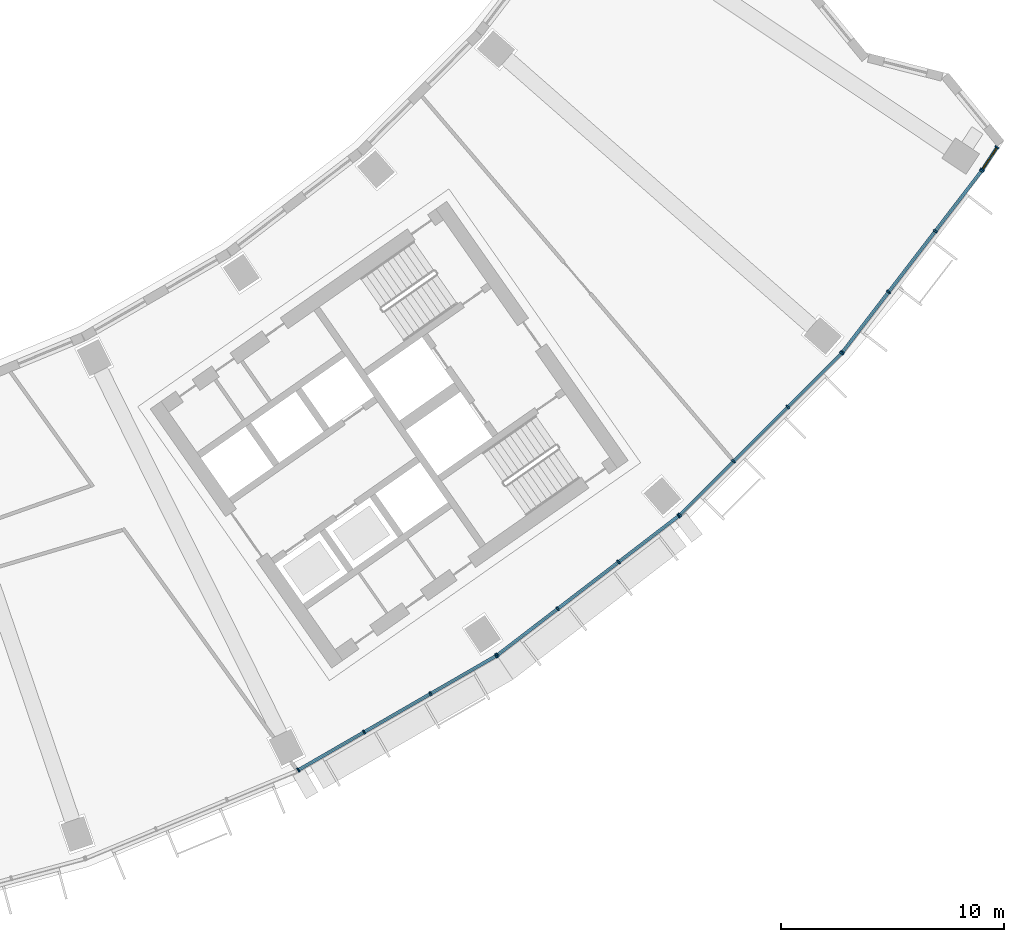
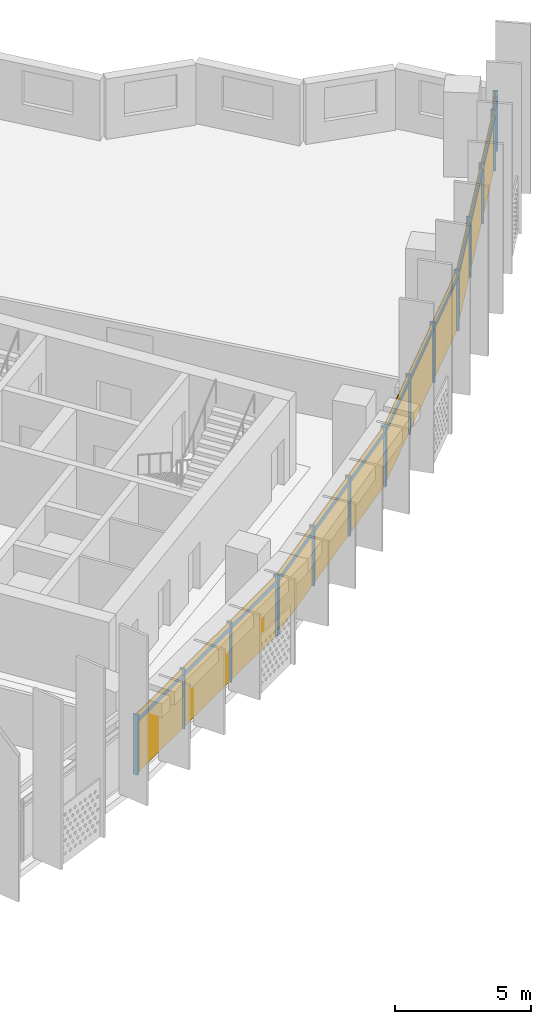
# One storey, part 20 of 31: 31 members, 5 curtain walls.
"""IFC4 building model written with IfcOpenShell, lengths in metres."""

from ifc_helpers import new_model, si_unit, direction, frame, origin, origin_2d, place, context, subcontext, project, spatial, rectangle, extrude, material, material_profile, profile_set, type_object, element, aggregate, save


model = new_model("IFC4")

# Units and contexts
model_context = context("Model", 3, precision=1e-05, world=origin(), true_north=direction((0.0, 1.0)))
body_context = subcontext(model_context, "Body", "Model", "MODEL_VIEW")
ifc_project = project(units=[si_unit("LENGTHUNIT", "METRE"), si_unit("AREAUNIT", "SQUARE_METRE"), si_unit("VOLUMEUNIT", "CUBIC_METRE"), si_unit("PLANEANGLEUNIT", "RADIAN"), si_unit("MASSUNIT", "GRAM", prefix="KILO")], contexts=[model_context])

# Member
ifc_material = material(Name="Aluminium 6063-T6 anodised", Category="aluminium")
ifc_material_profile_1 = material_profile(ifc_material, rectangle(XDim=0.199951171875, YDim=0.070068359375, at=origin_2d()))
ifc_profile_set_1 = profile_set([ifc_material_profile_1], Name="Aluminium 6063-T6 anodised")
member_type_1 = type_object("IfcMemberType", Name="Mullion 70 x 200 aluminium", PredefinedType="MULLION", material=ifc_profile_set_1)
site_placement = place(None, origin())
building_placement = place(site_placement, origin())
storey_placement = place(building_placement, frame((0.0, 0.0, 149.300048828125)))
member_1_placement = place(storey_placement, frame((34.921142578125, -70.748779296875, 0.0), z_axis=(0.0, 0.0, 1.0), x_axis=(-0.5, 0.866025403784, 0.0)))
member_1 = element("IfcMember", 1, at=member_1_placement, type_object=member_type_1, Name="e-cw1-L34-out11/M00", PredefinedType="MULLION", context=body_context, shape_type="SweptSolid", body=[
    extrude(rectangle(XDim=0.199951171875, YDim=0.070068359375, at=origin_2d()), origin(), (0.0, 0.0, 1.0), 2.699951171875),
])

member_2_placement = place(storey_placement, frame((37.873779296875, -69.0439453125, 0.0), z_axis=(0.0, 0.0, 1.0), x_axis=(-0.5, 0.866025403784, 0.0)))
member_2 = element("IfcMember", 2, at=member_2_placement, type_object=member_type_1, Name="e-cw1-L34-out11/M01", PredefinedType="MULLION", context=body_context, shape_type="SweptSolid", body=[
    extrude(rectangle(XDim=0.199951171875, YDim=0.070068359375, at=origin_2d()), origin(), (0.0, 0.0, 1.0), 2.699951171875),
])

member_3_placement = place(storey_placement, frame((40.85693359375, -67.32177734375, 0.0), z_axis=(0.0, 0.0, 1.0), x_axis=(-0.5, 0.866025403784, 0.0)))
member_3 = element("IfcMember", 3, at=member_3_placement, type_object=member_type_1, Name="e-cw1-L34-out11/M02", PredefinedType="MULLION", context=body_context, shape_type="SweptSolid", body=[
    extrude(rectangle(XDim=0.199951171875, YDim=0.070068359375, at=origin_2d()), origin(), (0.0, 0.0, 1.0), 2.699951171875),
])

member_4_placement = place(storey_placement, frame((43.809814453125, -65.616943359375, 0.0), z_axis=(0.0, 0.0, 1.0), x_axis=(-0.5, 0.866025403784, 0.0)))
member_4 = element("IfcMember", 4, at=member_4_placement, type_object=member_type_1, Name="e-cw1-L34-out11/M03", PredefinedType="MULLION", context=body_context, shape_type="SweptSolid", body=[
    extrude(rectangle(XDim=0.199951171875, YDim=0.070068359375, at=origin_2d()), origin(), (0.0, 0.0, 1.0), 2.699951171875),
])

member_5_placement = place(storey_placement, frame((43.85693359375, -65.58544921875, 0.0), z_axis=(0.0, 0.0, 1.0), x_axis=(-0.608761429009, 0.793353340291, 0.0)))
member_5 = element("IfcMember", 5, at=member_5_placement, type_object=member_type_1, Name="e-cw1-L34-out12/M00", PredefinedType="MULLION", context=body_context, shape_type="SweptSolid", body=[
    extrude(rectangle(XDim=0.199951171875, YDim=0.070068359375, at=origin_2d()), origin(), (0.0, 0.0, 1.0), 2.699951171875),
])

member_6_placement = place(storey_placement, frame((46.56201171875, -63.509765625, 0.0), z_axis=(0.0, 0.0, 1.0), x_axis=(-0.608761429009, 0.793353340291, 0.0)))
member_6 = element("IfcMember", 6, at=member_6_placement, type_object=member_type_1, Name="e-cw1-L34-out12/M01", PredefinedType="MULLION", context=body_context, shape_type="SweptSolid", body=[
    extrude(rectangle(XDim=0.199951171875, YDim=0.070068359375, at=origin_2d()), origin(), (0.0, 0.0, 1.0), 2.699951171875),
])

member_7_placement = place(storey_placement, frame((49.294677734375, -61.412841796875, 0.0), z_axis=(0.0, 0.0, 1.0), x_axis=(-0.608761429009, 0.793353340291, 0.0)))
member_7 = element("IfcMember", 7, at=member_7_placement, type_object=member_type_1, Name="e-cw1-L34-out12/M02", PredefinedType="MULLION", context=body_context, shape_type="SweptSolid", body=[
    extrude(rectangle(XDim=0.199951171875, YDim=0.070068359375, at=origin_2d()), origin(), (0.0, 0.0, 1.0), 2.699951171875),
])

member_8_placement = place(storey_placement, frame((51.999755859375, -59.33740234375, 0.0), z_axis=(0.0, 0.0, 1.0), x_axis=(-0.608761429009, 0.793353340291, 0.0)))
member_8 = element("IfcMember", 8, at=member_8_placement, type_object=member_type_1, Name="e-cw1-L34-out12/M03", PredefinedType="MULLION", context=body_context, shape_type="SweptSolid", body=[
    extrude(rectangle(XDim=0.199951171875, YDim=0.070068359375, at=origin_2d()), origin(), (0.0, 0.0, 1.0), 2.699951171875),
])

member_9_placement = place(storey_placement, frame((52.042236328125, -59.2998046875, 0.0), z_axis=(0.0, 0.0, 1.0), x_axis=(-0.707106781187, 0.707106781187, 0.0)))
member_9 = element("IfcMember", 9, at=member_9_placement, type_object=member_type_1, Name="e-cw1-L34-out13/M00", PredefinedType="MULLION", context=body_context, shape_type="SweptSolid", body=[
    extrude(rectangle(XDim=0.199951171875, YDim=0.070068359375, at=origin_2d()), origin(), (0.0, 0.0, 1.0), 2.699951171875),
])

member_10_placement = place(storey_placement, frame((54.453369140625, -56.888916015625, 0.0), z_axis=(0.0, 0.0, 1.0), x_axis=(-0.707106781187, 0.707106781187, 0.0)))
member_10 = element("IfcMember", 10, at=member_10_placement, type_object=member_type_1, Name="e-cw1-L34-out13/M01", PredefinedType="MULLION", context=body_context, shape_type="SweptSolid", body=[
    extrude(rectangle(XDim=0.199951171875, YDim=0.070068359375, at=origin_2d()), origin(), (0.0, 0.0, 1.0), 2.699951171875),
])

member_11_placement = place(storey_placement, frame((56.888916015625, -54.453369140625, 0.0), z_axis=(0.0, 0.0, 1.0), x_axis=(-0.707106781187, 0.707106781187, 0.0)))
member_11 = element("IfcMember", 11, at=member_11_placement, type_object=member_type_1, Name="e-cw1-L34-out13/M02", PredefinedType="MULLION", context=body_context, shape_type="SweptSolid", body=[
    extrude(rectangle(XDim=0.199951171875, YDim=0.070068359375, at=origin_2d()), origin(), (0.0, 0.0, 1.0), 2.699951171875),
])

member_12_placement = place(storey_placement, frame((59.2998046875, -52.042236328125, 0.0), z_axis=(0.0, 0.0, 1.0), x_axis=(-0.707106781187, 0.707106781187, 0.0)))
member_12 = element("IfcMember", 12, at=member_12_placement, type_object=member_type_1, Name="e-cw1-L34-out13/M03", PredefinedType="MULLION", context=body_context, shape_type="SweptSolid", body=[
    extrude(rectangle(XDim=0.199951171875, YDim=0.070068359375, at=origin_2d()), origin(), (0.0, 0.0, 1.0), 2.699951171875),
])

member_13_placement = place(storey_placement, frame((59.33740234375, -51.999755859375, 0.0), z_axis=(0.0, 0.0, 1.0), x_axis=(-0.793353340291, 0.608761429009, 0.0)))
member_13 = element("IfcMember", 13, at=member_13_placement, type_object=member_type_1, Name="e-cw1-L34-out14/M00", PredefinedType="MULLION", context=body_context, shape_type="SweptSolid", body=[
    extrude(rectangle(XDim=0.199951171875, YDim=0.070068359375, at=origin_2d()), origin(), (0.0, 0.0, 1.0), 2.699951171875),
])

member_14_placement = place(storey_placement, frame((61.412841796875, -49.294677734375, 0.0), z_axis=(0.0, 0.0, 1.0), x_axis=(-0.793353340291, 0.608761429009, 0.0)))
member_14 = element("IfcMember", 14, at=member_14_placement, type_object=member_type_1, Name="e-cw1-L34-out14/M01", PredefinedType="MULLION", context=body_context, shape_type="SweptSolid", body=[
    extrude(rectangle(XDim=0.199951171875, YDim=0.070068359375, at=origin_2d()), origin(), (0.0, 0.0, 1.0), 2.699951171875),
])

member_15_placement = place(storey_placement, frame((63.509765625, -46.56201171875, 0.0), z_axis=(0.0, 0.0, 1.0), x_axis=(-0.793353340291, 0.608761429009, 0.0)))
member_15 = element("IfcMember", 15, at=member_15_placement, type_object=member_type_1, Name="e-cw1-L34-out14/M02", PredefinedType="MULLION", context=body_context, shape_type="SweptSolid", body=[
    extrude(rectangle(XDim=0.199951171875, YDim=0.070068359375, at=origin_2d()), origin(), (0.0, 0.0, 1.0), 2.699951171875),
])

member_16_placement = place(storey_placement, frame((65.58544921875, -43.85693359375, 0.0), z_axis=(0.0, 0.0, 1.0), x_axis=(-0.793353340291, 0.608761429009, 0.0)))
member_16 = element("IfcMember", 16, at=member_16_placement, type_object=member_type_1, Name="e-cw1-L34-out14/M03", PredefinedType="MULLION", context=body_context, shape_type="SweptSolid", body=[
    extrude(rectangle(XDim=0.199951171875, YDim=0.070068359375, at=origin_2d()), origin(), (0.0, 0.0, 1.0), 2.699951171875),
])

member_17_placement = place(storey_placement, frame((65.62158203125, -43.80615234375, 0.0), z_axis=(0.0, 0.0, 1.0), x_axis=(-0.837241833838, 0.546832800472, 0.0)))
member_17 = element("IfcMember", 17, at=member_17_placement, type_object=member_type_1, Name="e-cw1-L34-out15/M00", PredefinedType="MULLION", context=body_context, shape_type="SweptSolid", body=[
    extrude(rectangle(XDim=0.199951171875, YDim=0.070068359375, at=origin_2d()), origin(), (0.0, 0.0, 1.0), 2.699951171875),
])

member_18_placement = place(storey_placement, frame((66.27734375, -42.8017578125, 0.0), z_axis=(0.0, 0.0, 1.0), x_axis=(-0.837241833838, 0.546832800472, 0.0)))
member_18 = element("IfcMember", 18, at=member_18_placement, type_object=member_type_1, Name="e-cw1-L34-out15/M01", PredefinedType="MULLION", context=body_context, shape_type="SweptSolid", body=[
    extrude(rectangle(XDim=0.199951171875, YDim=0.070068359375, at=origin_2d()), origin(), (0.0, 0.0, 1.0), 2.699951171875),
])

ifc_material_profile_2 = material_profile(ifc_material, rectangle(XDim=0.139892578125, YDim=0.1201171875, at=origin_2d()))
ifc_profile_set_2 = profile_set([ifc_material_profile_2], Name="Aluminium 6063-T6 anodised")
member_type_2 = type_object("IfcMemberType", Name="Transom 120 x 140 aluminium", PredefinedType="USERDEFINED", material=ifc_profile_set_2)
member_19_placement = place(storey_placement, frame((34.951416015625, -70.7314453125, 2.39990234375), z_axis=(0.866002968352, 0.500038857296, 0.0), x_axis=(-0.500038857296, 0.866002968352, 0.0)))
member_19 = element("IfcMember", 19, at=member_19_placement, type_object=member_type_2, Name="e-cw1-L34-out11/T00", ObjectType="TRANSOM", PredefinedType="USERDEFINED", context=body_context, shape_type="SweptSolid", body=[
    extrude(rectangle(XDim=0.139892578125, YDim=0.1201171875, at=origin_2d()), origin(), (0.0, 0.0, 1.0), 3.339599609375),
])

member_20_placement = place(storey_placement, frame((37.904296875, -69.026611328125, 2.39990234375), z_axis=(0.86602172966, 0.500006363716, 0.0), x_axis=(-0.500006363716, 0.86602172966, 0.0)))
member_20 = element("IfcMember", 20, at=member_20_placement, type_object=member_type_2, Name="e-cw1-L34-out11/T01", ObjectType="TRANSOM", PredefinedType="USERDEFINED", context=body_context, shape_type="SweptSolid", body=[
    extrude(rectangle(XDim=0.139892578125, YDim=0.1201171875, at=origin_2d()), origin(), (0.0, 0.0, 1.0), 3.37451171875),
])

member_21_placement = place(storey_placement, frame((40.88720703125, -67.30419921875, 2.39990234375), z_axis=(0.866052898888, 0.49995237406, 0.0), x_axis=(-0.49995237406, 0.866052898888, 0.0)))
member_21 = element("IfcMember", 21, at=member_21_placement, type_object=member_type_2, Name="e-cw1-L34-out11/T02", ObjectType="TRANSOM", PredefinedType="USERDEFINED", context=body_context, shape_type="SweptSolid", body=[
    extrude(rectangle(XDim=0.139892578125, YDim=0.1201171875, at=origin_2d()), origin(), (0.0, 0.0, 1.0), 3.339599609375),
])

member_22_placement = place(storey_placement, frame((43.884765625, -65.564208984375, 2.39990234375), z_axis=(0.793354486861, 0.608759934767, 0.0), x_axis=(-0.608759934767, 0.793354486861, 0.0)))
member_22 = element("IfcMember", 22, at=member_22_placement, type_object=member_type_2, Name="e-cw1-L34-out12/T00", ObjectType="TRANSOM", PredefinedType="USERDEFINED", context=body_context, shape_type="SweptSolid", body=[
    extrude(rectangle(XDim=0.139892578125, YDim=0.1201171875, at=origin_2d()), origin(), (0.0, 0.0, 1.0), 3.339599609375),
])

member_23_placement = place(storey_placement, frame((46.589599609375, -63.488525390625, 2.39990234375), z_axis=(0.793371081522, 0.608738307489, 0.0), x_axis=(-0.608738307489, 0.793371081522, 0.0)))
member_23 = element("IfcMember", 23, at=member_23_placement, type_object=member_type_2, Name="e-cw1-L34-out12/T01", ObjectType="TRANSOM", PredefinedType="USERDEFINED", context=body_context, shape_type="SweptSolid", body=[
    extrude(rectangle(XDim=0.139892578125, YDim=0.1201171875, at=origin_2d()), origin(), (0.0, 0.0, 1.0), 3.37451171875),
])

member_24_placement = place(storey_placement, frame((49.322509765625, -61.3916015625, 2.39990234375), z_axis=(0.793354486861, 0.608759934767, 0.0), x_axis=(-0.608759934767, 0.793354486861, 0.0)))
member_24 = element("IfcMember", 24, at=member_24_placement, type_object=member_type_2, Name="e-cw1-L34-out12/T02", ObjectType="TRANSOM", PredefinedType="USERDEFINED", context=body_context, shape_type="SweptSolid", body=[
    extrude(rectangle(XDim=0.139892578125, YDim=0.1201171875, at=origin_2d()), origin(), (0.0, 0.0, 1.0), 3.339599609375),
])

member_25_placement = place(storey_placement, frame((52.067138671875, -59.275146484375, 2.39990234375), z_axis=(0.707106781187, 0.707106781187, 0.0), x_axis=(-0.707106781187, 0.707106781187, 0.0)))
member_25 = element("IfcMember", 25, at=member_25_placement, type_object=member_type_2, Name="e-cw1-L34-out13/T00", ObjectType="TRANSOM", PredefinedType="USERDEFINED", context=body_context, shape_type="SweptSolid", body=[
    extrude(rectangle(XDim=0.139892578125, YDim=0.1201171875, at=origin_2d()), origin(), (0.0, 0.0, 1.0), 3.33935546875),
])

member_26_placement = place(storey_placement, frame((54.47802734375, -56.8642578125, 2.39990234375), z_axis=(0.707106781187, 0.707106781187, 0.0), x_axis=(-0.707106781187, 0.707106781187, 0.0)))
member_26 = element("IfcMember", 26, at=member_26_placement, type_object=member_type_2, Name="e-cw1-L34-out13/T01", ObjectType="TRANSOM", PredefinedType="USERDEFINED", context=body_context, shape_type="SweptSolid", body=[
    extrude(rectangle(XDim=0.139892578125, YDim=0.1201171875, at=origin_2d()), origin(), (0.0, 0.0, 1.0), 3.374755859375),
])

member_27_placement = place(storey_placement, frame((56.913818359375, -54.428466796875, 2.39990234375), z_axis=(0.707106781187, 0.707106781187, 0.0), x_axis=(-0.707106781187, 0.707106781187, 0.0)))
member_27 = element("IfcMember", 27, at=member_27_placement, type_object=member_type_2, Name="e-cw1-L34-out13/T02", ObjectType="TRANSOM", PredefinedType="USERDEFINED", context=body_context, shape_type="SweptSolid", body=[
    extrude(rectangle(XDim=0.139892578125, YDim=0.1201171875, at=origin_2d()), origin(), (0.0, 0.0, 1.0), 3.33935546875),
])

member_28_placement = place(storey_placement, frame((59.358642578125, -51.971923828125, 2.39990234375), z_axis=(0.608759934767, 0.793354486861, 0.0), x_axis=(-0.793354486861, 0.608759934767, 0.0)))
member_28 = element("IfcMember", 28, at=member_28_placement, type_object=member_type_2, Name="e-cw1-L34-out14/T00", ObjectType="TRANSOM", PredefinedType="USERDEFINED", context=body_context, shape_type="SweptSolid", body=[
    extrude(rectangle(XDim=0.139892578125, YDim=0.1201171875, at=origin_2d()), origin(), (0.0, 0.0, 1.0), 3.339599609375),
])

member_29_placement = place(storey_placement, frame((61.434326171875, -49.266845703125, 2.39990234375), z_axis=(0.608738307489, 0.793371081522, 0.0), x_axis=(-0.793371081522, 0.608738307489, 0.0)))
member_29 = element("IfcMember", 29, at=member_29_placement, type_object=member_type_2, Name="e-cw1-L34-out14/T01", ObjectType="TRANSOM", PredefinedType="USERDEFINED", context=body_context, shape_type="SweptSolid", body=[
    extrude(rectangle(XDim=0.139892578125, YDim=0.1201171875, at=origin_2d()), origin(), (0.0, 0.0, 1.0), 3.37451171875),
])

member_30_placement = place(storey_placement, frame((63.53125, -46.5341796875, 2.39990234375), z_axis=(0.608759934767, 0.793354486861, 0.0), x_axis=(-0.793354486861, 0.608759934767, 0.0)))
member_30 = element("IfcMember", 30, at=member_30_placement, type_object=member_type_2, Name="e-cw1-L34-out14/T02", ObjectType="TRANSOM", PredefinedType="USERDEFINED", context=body_context, shape_type="SweptSolid", body=[
    extrude(rectangle(XDim=0.139892578125, YDim=0.1201171875, at=origin_2d()), origin(), (0.0, 0.0, 1.0), 3.339599609375),
])

member_31_placement = place(storey_placement, frame((65.640625, -43.77685546875, 2.39990234375), z_axis=(0.546795084925, 0.837266466008, 0.0), x_axis=(-0.837266466008, 0.546795084925, 0.0)))
member_31 = element("IfcMember", 31, at=member_31_placement, type_object=member_type_2, Name="e-cw1-L34-out15/T00", ObjectType="TRANSOM", PredefinedType="USERDEFINED", context=body_context, shape_type="SweptSolid", body=[
    extrude(rectangle(XDim=0.139892578125, YDim=0.1201171875, at=origin_2d()), origin(), (0.0, 0.0, 1.0), 1.129638671875),
])

# Site, building, storey
site = spatial("IfcSite", under=ifc_project, at=site_placement, CompositionType="ELEMENT")
building = spatial("IfcBuilding", under=site, at=building_placement, Name="Qamariyya Broadcast Tower", CompositionType="ELEMENT")
storey = spatial("IfcBuildingStorey", under=building, at=storey_placement, Name="L34", CompositionType="ELEMENT", Elevation=149.300048828125)

# Curtain wall
curtain_wall_type = type_object("IfcCurtainWallType", Name="Unitised curtain wall, anodised aluminium", PredefinedType="NOTDEFINED", material=ifc_material)
curtain_wall_1_placement = place(storey_placement, origin())
curtain_wall_1 = element("IfcCurtainWall", 32, at=curtain_wall_1_placement, inside=storey, type_object=curtain_wall_type, Name="e-cw1-L34-out11", PredefinedType="NOTDEFINED", context=body_context, shape_type="SweptSolid", body=[
    extrude(rectangle(XDim=3.339599609375, YDim=0.031982421875, at=origin_2d()), frame((36.3974609375, -69.896484375, 0.0), x_axis=(0.866028999376, 0.499993772201, 0.0)), (0.0, 0.0, 1.0), 2.340087890625),
    extrude(rectangle(XDim=3.339599609375, YDim=0.031982421875, at=origin_2d()), frame((36.3974609375, -69.896484375, 2.4599609375), x_axis=(0.866028999376, 0.499993772201, 0.0)), (0.0, 0.0, 1.0), 0.239990234375),
    extrude(rectangle(XDim=3.37451171875, YDim=0.031982421875, at=origin_2d()), frame((39.365478515625, -68.18310546875, 0.0), x_axis=(0.866028999376, 0.499993772201, 0.0)), (0.0, 0.0, 1.0), 2.340087890625),
    extrude(rectangle(XDim=3.37451171875, YDim=0.031982421875, at=origin_2d()), frame((39.365478515625, -68.18310546875, 2.4599609375), x_axis=(0.866028999376, 0.499993772201, 0.0)), (0.0, 0.0, 1.0), 0.239990234375),
    extrude(rectangle(XDim=3.339599609375, YDim=0.031982421875, at=origin_2d()), frame((42.33349609375, -66.469482421875, 0.0), x_axis=(0.866028999376, 0.499993772201, 0.0)), (0.0, 0.0, 1.0), 2.340087890625),
    extrude(rectangle(XDim=3.339599609375, YDim=0.031982421875, at=origin_2d()), frame((42.33349609375, -66.469482421875, 2.4599609375), x_axis=(0.866028999376, 0.499993772201, 0.0)), (0.0, 0.0, 1.0), 0.239990234375),
])

aggregate(curtain_wall_1, [member_1, member_2, member_3, member_4, member_19, member_20, member_21])

curtain_wall_2_placement = place(storey_placement, origin())
curtain_wall_2 = element("IfcCurtainWall", 33, at=curtain_wall_2_placement, inside=storey, type_object=curtain_wall_type, Name="e-cw1-L34-out12", PredefinedType="NOTDEFINED", context=body_context, shape_type="SweptSolid", body=[
    extrude(rectangle(XDim=3.339599609375, YDim=0.031982421875, at=origin_2d()), frame((45.20947265625, -64.547607421875, 0.0), x_axis=(0.793351517557, 0.608763804434, 0.0)), (0.0, 0.0, 1.0), 2.340087890625),
    extrude(rectangle(XDim=3.339599609375, YDim=0.031982421875, at=origin_2d()), frame((45.20947265625, -64.547607421875, 2.4599609375), x_axis=(0.793351517557, 0.608763804434, 0.0)), (0.0, 0.0, 1.0), 0.239990234375),
    extrude(rectangle(XDim=3.37451171875, YDim=0.031982421875, at=origin_2d()), frame((47.92822265625, -62.46142578125, 0.0), x_axis=(0.793351517557, 0.608763804434, 0.0)), (0.0, 0.0, 1.0), 2.340087890625),
    extrude(rectangle(XDim=3.37451171875, YDim=0.031982421875, at=origin_2d()), frame((47.92822265625, -62.46142578125, 2.4599609375), x_axis=(0.793351517557, 0.608763804434, 0.0)), (0.0, 0.0, 1.0), 0.239990234375),
    extrude(rectangle(XDim=3.339599609375, YDim=0.031982421875, at=origin_2d()), frame((50.64697265625, -60.375, 0.0), x_axis=(0.793351517557, 0.608763804434, 0.0)), (0.0, 0.0, 1.0), 2.340087890625),
    extrude(rectangle(XDim=3.339599609375, YDim=0.031982421875, at=origin_2d()), frame((50.64697265625, -60.375, 2.4599609375), x_axis=(0.793351517557, 0.608763804434, 0.0)), (0.0, 0.0, 1.0), 0.239990234375),
])

aggregate(curtain_wall_2, [member_5, member_6, member_7, member_8, member_22, member_23, member_24])

curtain_wall_3_placement = place(storey_placement, origin())
curtain_wall_3 = element("IfcCurtainWall", 34, at=curtain_wall_3_placement, inside=storey, type_object=curtain_wall_type, Name="e-cw1-L34-out13", PredefinedType="NOTDEFINED", context=body_context, shape_type="SweptSolid", body=[
    extrude(rectangle(XDim=3.339599609375, YDim=0.031982421875, at=origin_2d()), frame((53.247802734375, -58.094482421875, 0.0), x_axis=(0.707106781187, 0.707106781187, 0.0)), (0.0, 0.0, 1.0), 2.340087890625),
    extrude(rectangle(XDim=3.339599609375, YDim=0.031982421875, at=origin_2d()), frame((53.247802734375, -58.094482421875, 2.4599609375), x_axis=(0.707106781187, 0.707106781187, 0.0)), (0.0, 0.0, 1.0), 0.239990234375),
    extrude(rectangle(XDim=3.37451171875, YDim=0.031982421875, at=origin_2d()), frame((55.671142578125, -55.671142578125, 0.0), x_axis=(0.707106781187, 0.707106781187, 0.0)), (0.0, 0.0, 1.0), 2.340087890625),
    extrude(rectangle(XDim=3.37451171875, YDim=0.031982421875, at=origin_2d()), frame((55.671142578125, -55.671142578125, 2.4599609375), x_axis=(0.707106781187, 0.707106781187, 0.0)), (0.0, 0.0, 1.0), 0.239990234375),
    extrude(rectangle(XDim=3.339599609375, YDim=0.031982421875, at=origin_2d()), frame((58.094482421875, -53.247802734375, 0.0), x_axis=(0.707106781187, 0.707106781187, 0.0)), (0.0, 0.0, 1.0), 2.340087890625),
    extrude(rectangle(XDim=3.339599609375, YDim=0.031982421875, at=origin_2d()), frame((58.094482421875, -53.247802734375, 2.4599609375), x_axis=(0.707106781187, 0.707106781187, 0.0)), (0.0, 0.0, 1.0), 0.239990234375),
])

aggregate(curtain_wall_3, [member_9, member_10, member_11, member_12, member_25, member_26, member_27])

curtain_wall_4_placement = place(storey_placement, origin())
curtain_wall_4 = element("IfcCurtainWall", 35, at=curtain_wall_4_placement, inside=storey, type_object=curtain_wall_type, Name="e-cw1-L34-out14", PredefinedType="NOTDEFINED", context=body_context, shape_type="SweptSolid", body=[
    extrude(rectangle(XDim=3.339599609375, YDim=0.031982421875, at=origin_2d()), frame((60.375, -50.64697265625, 0.0), x_axis=(0.608763804434, 0.793351517557, 0.0)), (0.0, 0.0, 1.0), 2.340087890625),
    extrude(rectangle(XDim=3.339599609375, YDim=0.031982421875, at=origin_2d()), frame((60.375, -50.64697265625, 2.4599609375), x_axis=(0.608763804434, 0.793351517557, 0.0)), (0.0, 0.0, 1.0), 0.239990234375),
    extrude(rectangle(XDim=3.37451171875, YDim=0.031982421875, at=origin_2d()), frame((62.46142578125, -47.92822265625, 0.0), x_axis=(0.608763804434, 0.793351517557, 0.0)), (0.0, 0.0, 1.0), 2.340087890625),
    extrude(rectangle(XDim=3.37451171875, YDim=0.031982421875, at=origin_2d()), frame((62.46142578125, -47.92822265625, 2.4599609375), x_axis=(0.608763804434, 0.793351517557, 0.0)), (0.0, 0.0, 1.0), 0.239990234375),
    extrude(rectangle(XDim=3.339599609375, YDim=0.031982421875, at=origin_2d()), frame((64.547607421875, -45.20947265625, 0.0), x_axis=(0.608763804434, 0.793351517557, 0.0)), (0.0, 0.0, 1.0), 2.340087890625),
    extrude(rectangle(XDim=3.339599609375, YDim=0.031982421875, at=origin_2d()), frame((64.547607421875, -45.20947265625, 2.4599609375), x_axis=(0.608763804434, 0.793351517557, 0.0)), (0.0, 0.0, 1.0), 0.239990234375),
])

aggregate(curtain_wall_4, [member_13, member_14, member_15, member_16, member_28, member_29, member_30])

curtain_wall_5_placement = place(storey_placement, origin())
curtain_wall_5 = element("IfcCurtainWall", 36, at=curtain_wall_5_placement, inside=storey, type_object=curtain_wall_type, Name="e-cw1-L34-out15", PredefinedType="NOTDEFINED", context=body_context, shape_type="SweptSolid", body=[
    extrude(rectangle(XDim=1.129638671875, YDim=0.031982421875, at=origin_2d()), frame((65.949462890625, -43.303955078125, 0.0), x_axis=(0.546865925948, 0.837220197461, 0.0)), (0.0, 0.0, 1.0), 2.340087890625),
    extrude(rectangle(XDim=1.129638671875, YDim=0.031982421875, at=origin_2d()), frame((65.949462890625, -43.303955078125, 2.4599609375), x_axis=(0.546865925948, 0.837220197461, 0.0)), (0.0, 0.0, 1.0), 0.239990234375),
])

aggregate(curtain_wall_5, [member_17, member_18, member_31])

save(model, "model.ifc")
